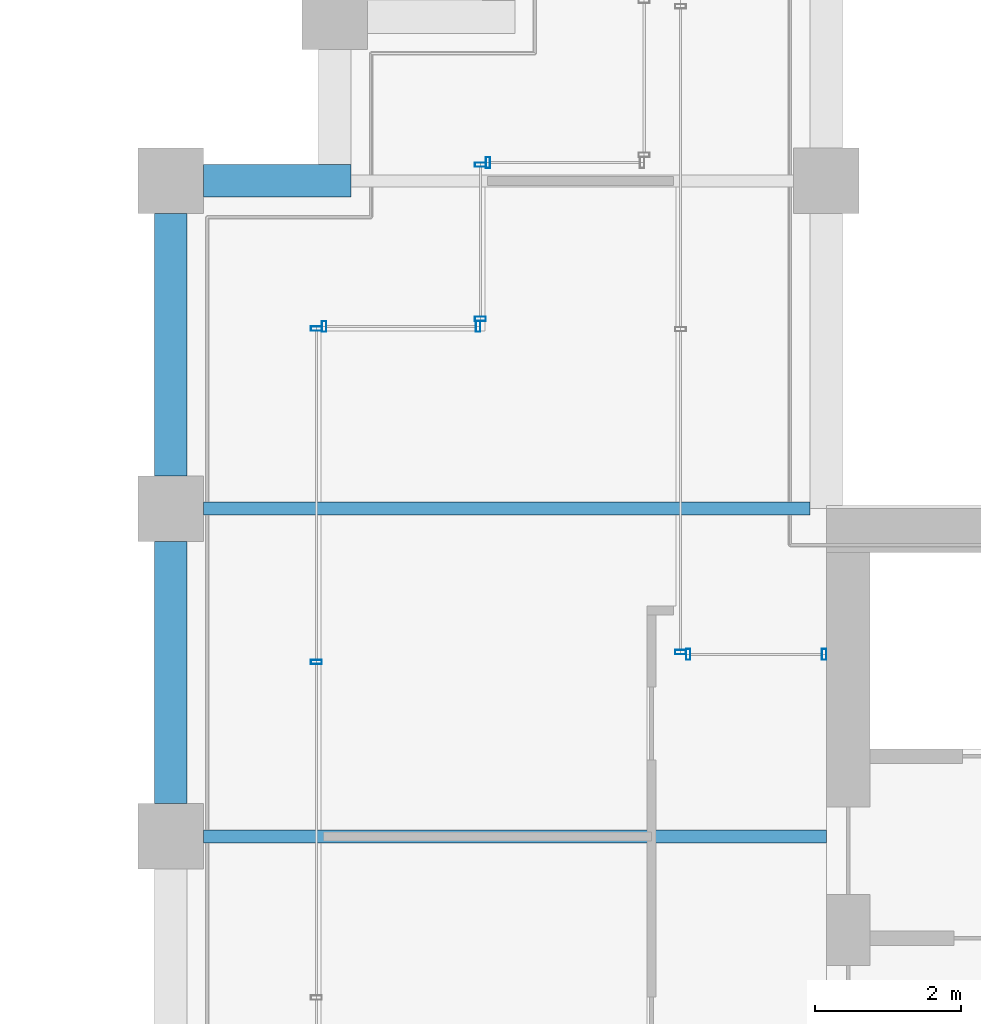
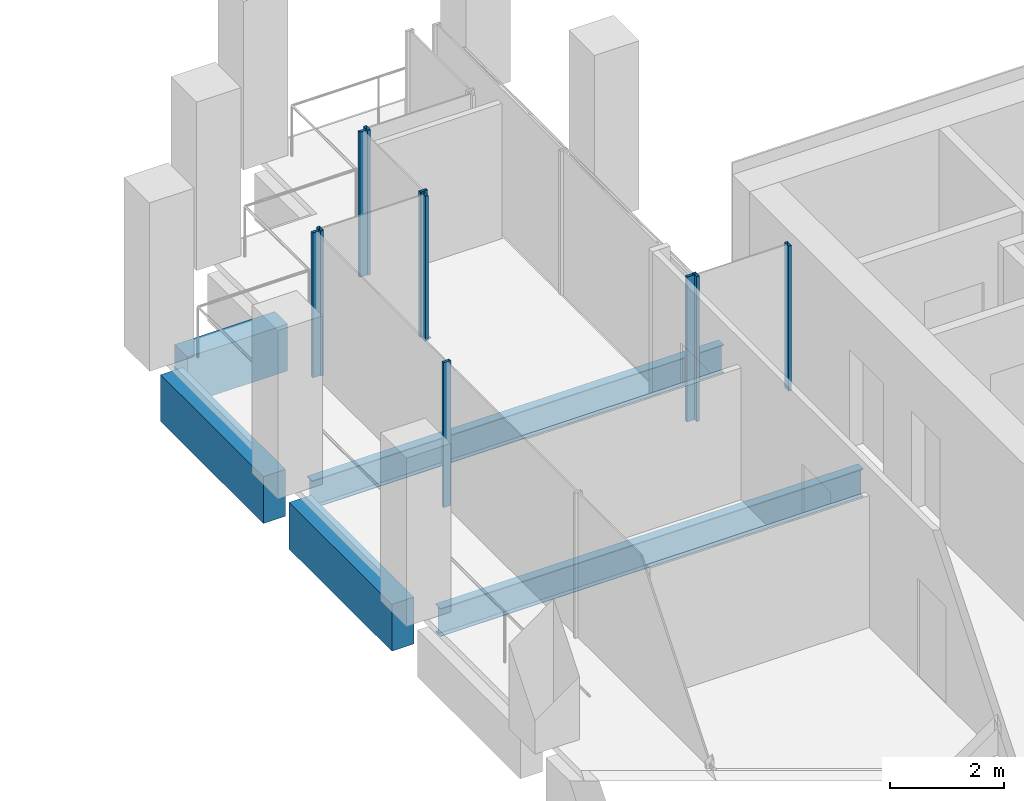
# One storey, part 32 of 40: 10 members, 5 beams, 6 elements without a shape of their own.
"""IFC4 building model written with IfcOpenShell, lengths in metres."""

from ifc_helpers import new_model, si_unit, direction, frame, origin, origin_2d, place, context, subcontext, project, spatial, rectangle, hollow_rectangle, i_section, extrude, material, material_profile, profile_set, type_object, element, aggregate, save


model = new_model("IFC4")

# Units and contexts
model_context = context("Model", 3, precision=1e-05, world=origin(), true_north=direction((0.0, 1.0)))
body_context = subcontext(model_context, "Body", "Model", "MODEL_VIEW")
ifc_project = project(units=[si_unit("LENGTHUNIT", "METRE"), si_unit("AREAUNIT", "SQUARE_METRE"), si_unit("VOLUMEUNIT", "CUBIC_METRE"), si_unit("PLANEANGLEUNIT", "RADIAN"), si_unit("MASSUNIT", "GRAM", prefix="KILO")], contexts=[model_context])

# Site, building, storey
site_placement = place(None, origin())
site = spatial("IfcSite", under=ifc_project, at=site_placement, CompositionType="ELEMENT")
building_placement = place(site_placement, origin())
building = spatial("IfcBuilding", under=site, at=building_placement, Name="Altepetl Exchange Towers", CompositionType="ELEMENT")
storey_placement = place(building_placement, frame((0.0, 0.0, 179.800048828125)))
storey = spatial("IfcBuildingStorey", under=building, at=storey_placement, Name="L45", CompositionType="ELEMENT", Elevation=179.800048828125)

# Beams
ifc_material_1 = material(Name="Steel S355", Category="steel")
ifc_material_profile_1 = material_profile(ifc_material_1, i_section(OverallWidth=0.177978515625, OverallDepth=0.59912109375, WebThickness=0.010009765625, FlangeThickness=0.0126953125, at=origin_2d()), Name="W24X55")
ifc_profile_set_1 = profile_set([ifc_material_profile_1], Name="Steel S355")
beam_type_1 = type_object("IfcBeamType", Name="Floor beam W24X55", PredefinedType="BEAM", material=ifc_profile_set_1)
beam_1_placement = place(storey_placement, frame((94.949951171875, 45.0, -0.449462890625), z_axis=(1.0, 0.0, 0.0), x_axis=(0.0, 1.0, 0.0)))
element("IfcBeam", 1, at=beam_1_placement, inside=storey, type_object=beam_type_1, Name="bm:B:L45:005", PredefinedType="BEAM", context=body_context, shape_type="SweptSolid", body=[
    extrude(i_section(OverallWidth=0.177978515625, OverallDepth=0.59912109375, WebThickness=0.010009765625, FlangeThickness=0.0126953125, at=origin_2d()), origin(), (0.0, 0.0, 1.0), 8.550048828125),
])
beam_2_placement = place(storey_placement, frame((94.949951171875, 49.5, -0.449462890625), z_axis=(1.0, 0.0, 0.0), x_axis=(0.0, 1.0, 0.0)))
element("IfcBeam", 2, at=beam_2_placement, inside=storey, type_object=beam_type_1, Name="bm:B:L45:006", PredefinedType="BEAM", context=body_context, shape_type="SweptSolid", body=[
    extrude(i_section(OverallWidth=0.177978515625, OverallDepth=0.59912109375, WebThickness=0.010009765625, FlangeThickness=0.0126953125, at=origin_2d()), origin(), (0.0, 0.0, 1.0), 8.324951171875),
])

# Curtain wall, members
ifc_material_2 = material(Name="Aluminium 6063-T6 glazing", Category="aluminium")
curtain_wall_type = type_object("IfcCurtainWallType", Name="Loggia glazing system", PredefinedType="NOTDEFINED", material=ifc_material_2)
curtain_wall_1_placement = place(storey_placement, origin())
curtain_wall_1 = element("IfcCurtainWall", 3, at=curtain_wall_1_placement, inside=storey, type_object=curtain_wall_type, Name="CW1 run", PredefinedType="NOTDEFINED")
ifc_material_3 = material(Name="Aluminium 6063-T6", Category="aluminium")
ifc_material_profile_2 = material_profile(ifc_material_3, hollow_rectangle(XDim=0.06005859375, YDim=0.14990234375, WallThickness=0.0029296875, at=origin_2d()), Name="Mullion 60x150 aluminium")
ifc_profile_set_2 = profile_set([ifc_material_profile_2], Name="Aluminium 6063-T6")
member_type = type_object("IfcMemberType", Name="Mullion 60x150 aluminium", PredefinedType="MULLION", material=ifc_profile_set_2)
member_1_placement = place(storey_placement, frame((103.469970703125, 47.5, 0.0), z_axis=(0.0, 0.0, 1.0), x_axis=(-1.0, 0.0, 0.0)))
member_1 = element("IfcMember", 4, at=member_1_placement, type_object=member_type, Name="MU1 mullion", PredefinedType="MULLION", context=body_context, shape_type="SweptSolid", body=[
    extrude(hollow_rectangle(XDim=0.06005859375, YDim=0.14990234375, WallThickness=0.0029296875, at=origin_2d()), origin(), (0.0, 0.0, 1.0), 3.099853515625),
])
member_2_placement = place(storey_placement, frame((101.60498046875, 47.5, 0.0), z_axis=(0.0, 0.0, 1.0), x_axis=(-1.0, 0.0, 0.0)))
member_2 = element("IfcMember", 5, at=member_2_placement, type_object=member_type, Name="MU1 mullion", PredefinedType="MULLION", context=body_context, shape_type="SweptSolid", body=[
    extrude(hollow_rectangle(XDim=0.06005859375, YDim=0.14990234375, WallThickness=0.0029296875, at=origin_2d()), origin(), (0.0, 0.0, 1.0), 3.099853515625),
])
aggregate(curtain_wall_1, [member_1, member_2])

# Curtain wall, member
curtain_wall_2_placement = place(storey_placement, origin())
curtain_wall_2 = element("IfcCurtainWall", 6, at=curtain_wall_2_placement, inside=storey, type_object=curtain_wall_type, Name="CW1 run", PredefinedType="NOTDEFINED")
member_3_placement = place(storey_placement, frame((101.5, 47.530029296875, 0.0), z_axis=(0.0, 0.0, 1.0), x_axis=(0.0, 1.0, 0.0)))
member_3 = element("IfcMember", 7, at=member_3_placement, type_object=member_type, Name="MU1 mullion", PredefinedType="MULLION", context=body_context, shape_type="SweptSolid", body=[
    extrude(hollow_rectangle(XDim=0.06005859375, YDim=0.14990234375, WallThickness=0.0029296875, at=origin_2d()), origin(), (0.0, 0.0, 1.0), 3.099853515625),
])
aggregate(curtain_wall_2, [member_3])

curtain_wall_3_placement = place(storey_placement, origin())
curtain_wall_3 = element("IfcCurtainWall", 8, at=curtain_wall_3_placement, inside=storey, type_object=curtain_wall_type, Name="CW1 run", PredefinedType="NOTDEFINED")
member_4_placement = place(storey_placement, frame((98.85498046875, 54.25, 0.0), z_axis=(0.0, 0.0, 1.0), x_axis=(-1.0, 0.0, 0.0)))
member_4 = element("IfcMember", 9, at=member_4_placement, type_object=member_type, Name="MU1 mullion", PredefinedType="MULLION", context=body_context, shape_type="SweptSolid", body=[
    extrude(hollow_rectangle(XDim=0.06005859375, YDim=0.14990234375, WallThickness=0.0029296875, at=origin_2d()), origin(), (0.0, 0.0, 1.0), 3.099853515625),
])
aggregate(curtain_wall_3, [member_4])

# Curtain wall, members
curtain_wall_4_placement = place(storey_placement, origin())
curtain_wall_4 = element("IfcCurtainWall", 10, at=curtain_wall_4_placement, inside=storey, type_object=curtain_wall_type, Name="CW1 run", PredefinedType="NOTDEFINED")
member_5_placement = place(storey_placement, frame((98.75, 54.219970703125, 0.0), z_axis=(0.0, 0.0, 1.0), x_axis=(0.0, -1.0, 0.0)))
member_5 = element("IfcMember", 11, at=member_5_placement, type_object=member_type, Name="MU1 mullion", PredefinedType="MULLION", context=body_context, shape_type="SweptSolid", body=[
    extrude(hollow_rectangle(XDim=0.06005859375, YDim=0.14990234375, WallThickness=0.0029296875, at=origin_2d()), origin(), (0.0, 0.0, 1.0), 3.099853515625),
])
member_6_placement = place(storey_placement, frame((98.75, 52.10498046875, 0.0), z_axis=(0.0, 0.0, 1.0), x_axis=(0.0, -1.0, 0.0)))
member_6 = element("IfcMember", 12, at=member_6_placement, type_object=member_type, Name="MU1 mullion", PredefinedType="MULLION", context=body_context, shape_type="SweptSolid", body=[
    extrude(hollow_rectangle(XDim=0.06005859375, YDim=0.14990234375, WallThickness=0.0029296875, at=origin_2d()), origin(), (0.0, 0.0, 1.0), 3.099853515625),
])
aggregate(curtain_wall_4, [member_5, member_6])

curtain_wall_5_placement = place(storey_placement, origin())
curtain_wall_5 = element("IfcCurtainWall", 13, at=curtain_wall_5_placement, inside=storey, type_object=curtain_wall_type, Name="CW1 run", PredefinedType="NOTDEFINED")
member_7_placement = place(storey_placement, frame((98.719970703125, 52.0, 0.0), z_axis=(0.0, 0.0, 1.0), x_axis=(-1.0, 0.0, 0.0)))
member_7 = element("IfcMember", 14, at=member_7_placement, type_object=member_type, Name="MU1 mullion", PredefinedType="MULLION", context=body_context, shape_type="SweptSolid", body=[
    extrude(hollow_rectangle(XDim=0.06005859375, YDim=0.14990234375, WallThickness=0.0029296875, at=origin_2d()), origin(), (0.0, 0.0, 1.0), 3.099853515625),
])
member_8_placement = place(storey_placement, frame((96.60498046875, 52.0, 0.0), z_axis=(0.0, 0.0, 1.0), x_axis=(-1.0, 0.0, 0.0)))
member_8 = element("IfcMember", 15, at=member_8_placement, type_object=member_type, Name="MU1 mullion", PredefinedType="MULLION", context=body_context, shape_type="SweptSolid", body=[
    extrude(hollow_rectangle(XDim=0.06005859375, YDim=0.14990234375, WallThickness=0.0029296875, at=origin_2d()), origin(), (0.0, 0.0, 1.0), 3.099853515625),
])
aggregate(curtain_wall_5, [member_7, member_8])

curtain_wall_6_placement = place(storey_placement, origin())
curtain_wall_6 = element("IfcCurtainWall", 16, at=curtain_wall_6_placement, inside=storey, type_object=curtain_wall_type, Name="CW1 run", PredefinedType="NOTDEFINED")
member_9_placement = place(storey_placement, frame((96.5, 51.969970703125, 0.0), z_axis=(0.0, 0.0, 1.0), x_axis=(0.0, -1.0, 0.0)))
member_9 = element("IfcMember", 17, at=member_9_placement, type_object=member_type, Name="MU1 mullion", PredefinedType="MULLION", context=body_context, shape_type="SweptSolid", body=[
    extrude(hollow_rectangle(XDim=0.06005859375, YDim=0.14990234375, WallThickness=0.0029296875, at=origin_2d()), origin(), (0.0, 0.0, 1.0), 3.099853515625),
])
member_10_placement = place(storey_placement, frame((96.5, 47.393798828125, 0.0), z_axis=(0.0, 0.0, 1.0), x_axis=(0.0, -1.0, 0.0)))
member_10 = element("IfcMember", 18, at=member_10_placement, type_object=member_type, Name="MU1 mullion", PredefinedType="MULLION", context=body_context, shape_type="SweptSolid", body=[
    extrude(hollow_rectangle(XDim=0.06005859375, YDim=0.14990234375, WallThickness=0.0029296875, at=origin_2d()), origin(), (0.0, 0.0, 1.0), 3.099853515625),
])
aggregate(curtain_wall_6, [member_9, member_10])

# Beams
ifc_material_4 = material(Name="Concrete C50/60 precast with cantera rosa facing", Category="concrete")
ifc_material_profile_3 = material_profile(ifc_material_4, rectangle(XDim=0.449951171875, YDim=1.0, at=origin_2d()), Name="450 x 1000")
ifc_profile_set_3 = profile_set([ifc_material_profile_3], Name="Concrete C50/60 precast with cantera rosa facing")
beam_type_2 = type_object("IfcBeamType", Name="Spandrel beam 450x1000 cantera rosa", PredefinedType="SPANDREL", material=ifc_profile_set_3)
beam_3_placement = place(storey_placement, frame((96.97509765625, 54.0, -0.650146484375), z_axis=(-1.0, 0.0, 0.0), x_axis=(0.0, -1.0, 0.0)))
element("IfcBeam", 19, at=beam_3_placement, inside=storey, type_object=beam_type_2, Name="sp:B:L45:014", PredefinedType="SPANDREL", context=body_context, shape_type="SweptSolid", body=[
    extrude(rectangle(XDim=0.449951171875, YDim=1.0, at=origin_2d()), origin(), (0.0, 0.0, 1.0), 2.025146484375),
])
for number, where, z_axis, x_axis, name in (
    (20, (94.5, 53.550048828125, -0.650146484375), (0.0, -1.0, 0.0), (1.0, 0.0, 0.0), "sp:B:L45:015"),
    (21, (94.5, 49.050048828125, -0.650146484375), (0.0, -1.0, 0.0), (1.0, 0.0, 0.0), "sp:B:L45:016"),
):
    element("IfcBeam", number, at=place(storey_placement, frame(where, z_axis=z_axis, x_axis=x_axis)), inside=storey, type_object=beam_type_2, Name=name, PredefinedType="SPANDREL", context=body_context, shape_type="SweptSolid", body=[
        extrude(rectangle(XDim=0.449951171875, YDim=1.0, at=origin_2d()), origin(), (0.0, 0.0, 1.0), 3.60009765625),
    ])

save(model, "model.ifc")
